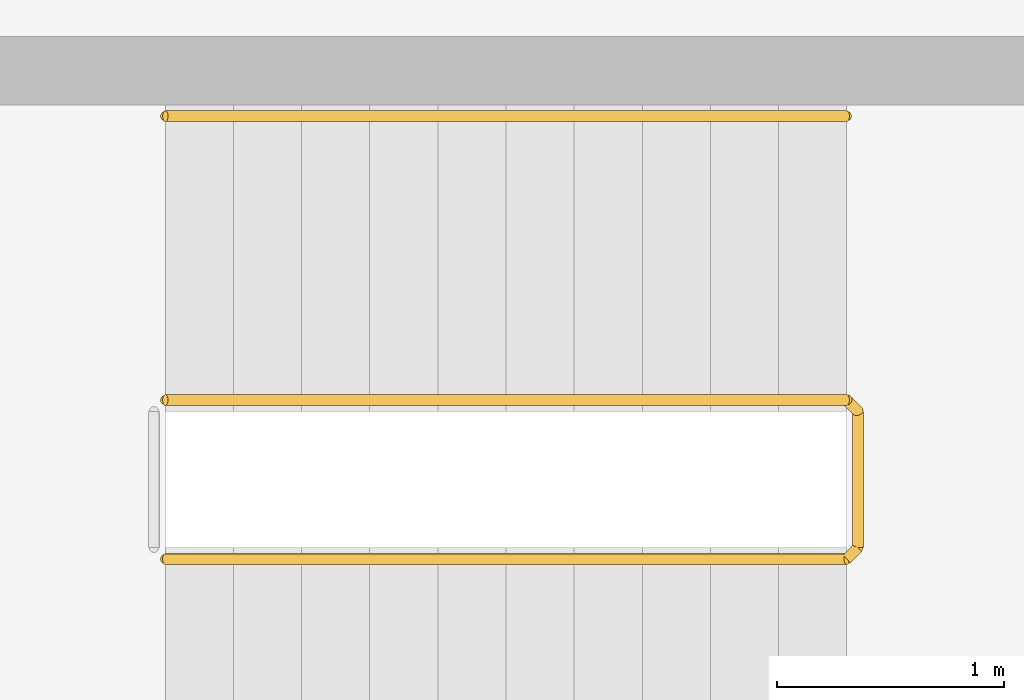
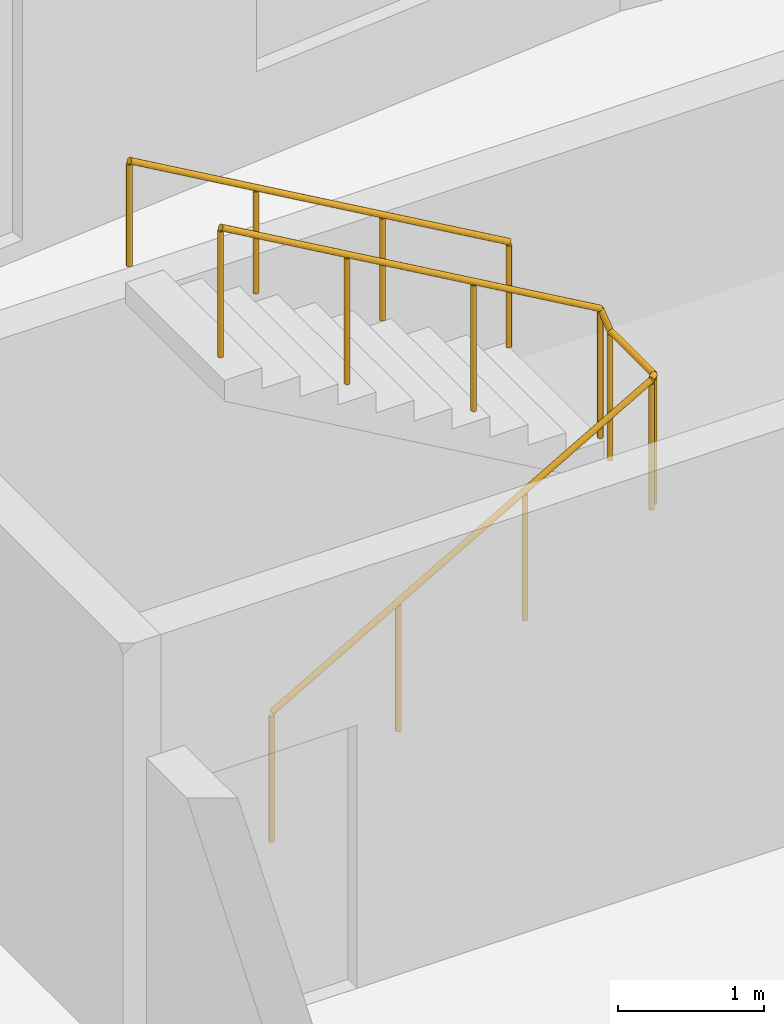
# One storey, part 10 of 10: 2 railings.
"""IFC4 building model written with IfcOpenShell, lengths in metres."""

from ifc_helpers import new_model, si_unit, direction, frame, origin, origin_2d, place, context, subcontext, project, spatial, circle, extrude, material, type_object, element, save


model = new_model("IFC4")

# Units and contexts
model_context = context("Model", 3, precision=1e-05, world=origin(), true_north=direction((0.0, 1.0)))
body_context = subcontext(model_context, "Body", "Model", "MODEL_VIEW")
ifc_project = project(units=[si_unit("LENGTHUNIT", "METRE"), si_unit("AREAUNIT", "SQUARE_METRE"), si_unit("VOLUMEUNIT", "CUBIC_METRE"), si_unit("PLANEANGLEUNIT", "RADIAN"), si_unit("MASSUNIT", "GRAM", prefix="KILO")], contexts=[model_context])

# Site, building, storey
site_placement = place(None, origin())
site = spatial("IfcSite", under=ifc_project, at=site_placement, CompositionType="ELEMENT")
building_placement = place(site_placement, origin())
building = spatial("IfcBuilding", under=site, at=building_placement, Name="Brondeck Convention Tower", CompositionType="ELEMENT")
storey_placement = place(building_placement, frame((0.0, 0.0, 189.0)))
storey = spatial("IfcBuildingStorey", under=building, at=storey_placement, Name="L46", CompositionType="ELEMENT", Elevation=189.0)

# Railings
ifc_material = material(Name="Steel S355", Category="steel")
railing_type_1 = type_object("IfcRailingType", Name="Stair guard 1100", PredefinedType="GUARDRAIL", material=ifc_material)
railing_1_placement = place(storey_placement, frame((37.85009765625, 55.449951171875, 0.172607421875)))
element("IfcRailing", 1, at=railing_1_placement, inside=storey, type_object=railing_type_1, Name="L46 ST-AE stair guard 1", PredefinedType="GUARDRAIL", context=body_context, shape_type="SweptSolid", body=[
    extrude(circle(Radius=0.02392578125, at=origin_2d()), frame((0.0, 0.0, 1.076171875), z_axis=(0.866619684472, 0.0, 0.498969260062), x_axis=(0.0, 1.0, 0.0)), (0.0, 0.0, 1.0), 3.461669921875),
    extrude(circle(Radius=0.02392578125, at=origin_2d()), frame((3.0, 0.0, 2.80322265625), z_axis=(0.705375805398, 0.708833529934, 0.0), x_axis=(-0.708833529934, 0.705375805398, 0.0)), (0.0, 0.0, 1.0), 0.070556640625),
    extrude(circle(Radius=0.02392578125, at=origin_2d()), frame((3.0498046875, 0.050048828125, 2.80322265625), z_axis=(0.0, 1.0, 0.0), x_axis=(-1.0, 0.0, 0.0)), (0.0, 0.0, 1.0), 0.60009765625),
    extrude(circle(Radius=0.02392578125, at=origin_2d()), frame((3.0498046875, 0.650146484375, 2.80322265625), z_axis=(-0.266832911964, 0.266832911964, 0.926067165051), x_axis=(-0.707106781187, -0.707106781187, 0.0)), (0.0, 0.0, 1.0), 0.186767578125),
    extrude(circle(Radius=0.02392578125, at=origin_2d()), frame((3.0, 0.699951171875, 2.97607421875), z_axis=(-0.866619684472, 0.0, 0.498969260062), x_axis=(0.0, -1.0, 0.0)), (0.0, 0.0, 1.0), 3.461669921875),
    extrude(circle(Radius=0.02099609375, at=origin_2d()), origin(), (0.0, 0.0, 1.0), 1.052001953125),
    extrude(circle(Radius=0.02099609375, at=origin_2d()), frame((1.0, 0.0, 0.57568359375)), (0.0, 0.0, 1.0), 1.052001953125),
    extrude(circle(Radius=0.02099609375, at=origin_2d()), frame((2.0, 0.0, 1.151611328125)), (0.0, 0.0, 1.0), 1.052001953125),
    extrude(circle(Radius=0.02099609375, at=origin_2d()), frame((3.0, 0.0, 1.727294921875)), (0.0, 0.0, 1.0), 1.052001953125),
    extrude(circle(Radius=0.02099609375, at=origin_2d()), frame((3.0498046875, 0.050048828125, 1.727294921875)), (0.0, 0.0, 1.0), 1.052001953125),
    extrude(circle(Radius=0.02099609375, at=origin_2d()), frame((3.0498046875, 0.650146484375, 1.727294921875)), (0.0, 0.0, 1.0), 1.052001953125),
    extrude(circle(Radius=0.02099609375, at=origin_2d()), frame((3.0, 0.699951171875, 1.900146484375)), (0.0, 0.0, 1.0), 1.052001953125),
    extrude(circle(Radius=0.02099609375, at=origin_2d()), frame((2.0, 0.699951171875, 2.475830078125)), (0.0, 0.0, 1.0), 1.052001953125),
    extrude(circle(Radius=0.02099609375, at=origin_2d()), frame((1.0, 0.699951171875, 3.0517578125)), (0.0, 0.0, 1.0), 1.052001953125),
    extrude(circle(Radius=0.02099609375, at=origin_2d()), frame((0.0, 0.699951171875, 3.62744140625)), (0.0, 0.0, 1.0), 1.052001953125),
])
railing_type_2 = type_object("IfcRailingType", Name="Stair handrail", PredefinedType="HANDRAIL", material=ifc_material)
railing_2_placement = place(storey_placement, frame((40.85009765625, 57.39990234375, 2.07275390625)))
element("IfcRailing", 2, at=railing_2_placement, inside=storey, type_object=railing_type_2, Name="L46 ST-AE stair handrail 2", PredefinedType="HANDRAIL", context=body_context, shape_type="SweptSolid", body=[
    extrude(circle(Radius=0.02392578125, at=origin_2d()), frame((0.0, 0.0, 0.8759765625), z_axis=(-0.866619684472, 0.0, 0.498969260062), x_axis=(0.0, -1.0, 0.0)), (0.0, 0.0, 1.0), 3.461669921875),
    extrude(circle(Radius=0.02099609375, at=origin_2d()), origin(), (0.0, 0.0, 1.0), 0.851806640625),
    extrude(circle(Radius=0.02099609375, at=origin_2d()), frame((-1.0, 0.0, 0.57568359375)), (0.0, 0.0, 1.0), 0.851806640625),
    extrude(circle(Radius=0.02099609375, at=origin_2d()), frame((-2.0, 0.0, 1.151611328125)), (0.0, 0.0, 1.0), 0.851806640625),
    extrude(circle(Radius=0.02099609375, at=origin_2d()), frame((-3.0, 0.0, 1.727294921875)), (0.0, 0.0, 1.0), 0.851806640625),
])

save(model, "model.ifc")
